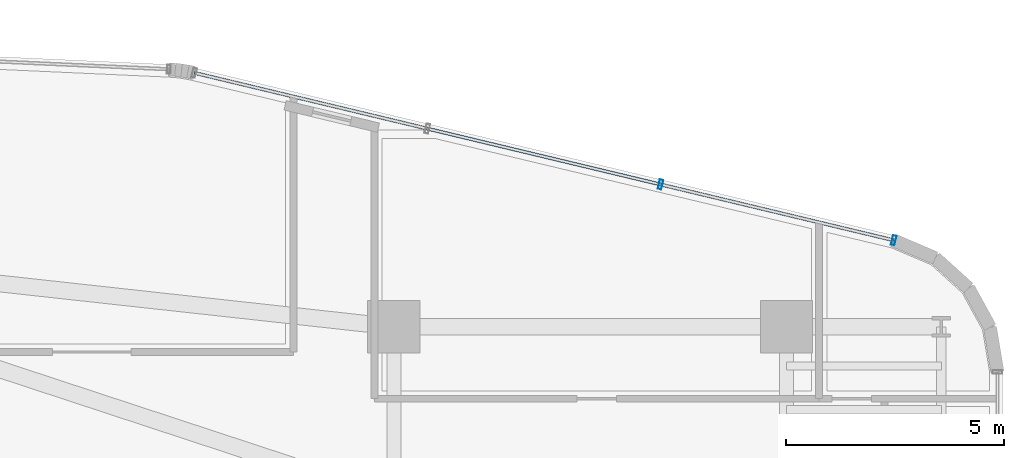
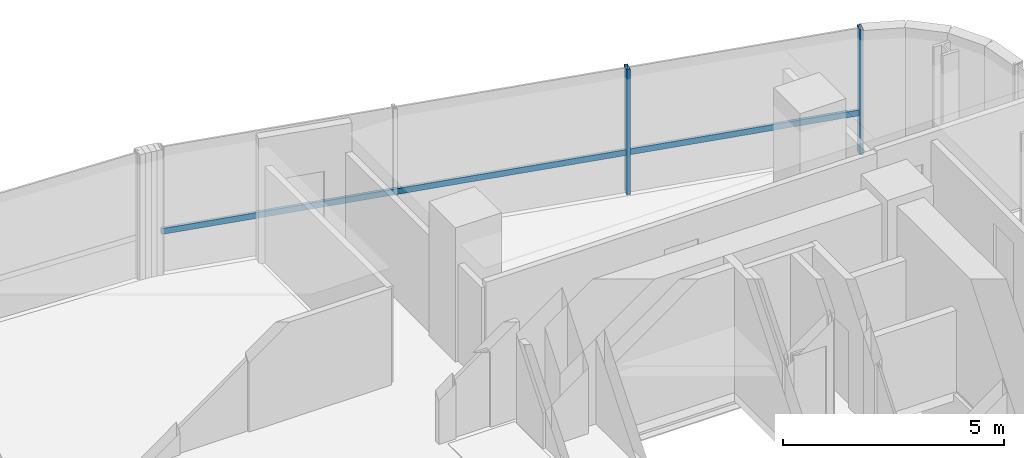
# One storey, part 25 of 37: 3 members, 1 element without a shape of its own.
"""IFC4 building model written with IfcOpenShell, lengths in metres."""

import ifcopenshell
import ifcopenshell.guid

model = None  # the IFC model being written
_history = None  # IfcOwnerHistory: only IFC2X3 demands one
_inside = {}  # id of a spatial element -> (the spatial element, [elements in it])
_under = {}  # id of a project, library or spatial element -> (it, [spatial elements below it])
_declared = {}  # id of a project -> (the project, [libraries it declares])
_typed = {}  # id of a type object -> (the type object, [elements of that type])
_made_of = {}  # id of a material, layer set ... -> (it, [elements and type objects made of it])


def new_model(schema):
    """Start an empty IFC model of exactly this schema.

    Asked for "IFC4X3", IfcOpenShell would pick the latest addendum, in which some entities
    have other attributes; the version numbers below select the first issue.
    IFC2X3 requires an IfcOwnerHistory on every rooted entity: one is made here for all.
    """
    global model, _history
    if schema == "IFC4X3":
        model = ifcopenshell.file(schema_version=(4, 3, 0, 0))
    else:
        model = ifcopenshell.file(schema=schema)
    _inside.clear()
    _under.clear()
    _declared.clear()
    _typed.clear()
    _made_of.clear()
    _history = None
    if model.schema == "IFC2X3":
        org = make("IfcOrganization", Name="unknown")
        user = make(
            "IfcPersonAndOrganization",
            ThePerson=make("IfcPerson", FamilyName="unknown"),
            TheOrganization=org,
        )
        app = make(
            "IfcApplication",
            ApplicationDeveloper=org,
            Version="unknown",
            ApplicationFullName="unknown",
            ApplicationIdentifier="unknown",
        )
        _history = make(
            "IfcOwnerHistory",
            OwningUser=user,
            OwningApplication=app,
            ChangeAction="ADDED",
            CreationDate=0,
        )
    return model


def make(cls, **values):
    """One entity of the class cls with the attributes given. An attribute that is None is left unset."""
    return model.create_entity(
        cls, **{name: value for name, value in values.items() if value is not None}
    )


def rooted(cls, **values):
    """An entity with a GlobalId (a new one), such as an element, a storey or a relation."""
    return make(cls, GlobalId=ifcopenshell.guid.new(), OwnerHistory=_history, **values)


def si_unit(unit_type, name, prefix=None):
    """IfcSIUnit, for example si_unit("LENGTHUNIT", "METRE", prefix="MILLI")."""
    return make("IfcSIUnit", UnitType=unit_type, Prefix=prefix, Name=name)


def assignment(units):
    """IfcUnitAssignment: the units of a project."""
    return None if units is None else make("IfcUnitAssignment", Units=units)


def point(xyz):
    """IfcCartesianPoint."""
    return None if xyz is None else make("IfcCartesianPoint", Coordinates=xyz)


def direction(xyz):
    """IfcDirection."""
    return None if xyz is None else make("IfcDirection", DirectionRatios=xyz)


def frame(location, z_axis=None, x_axis=None):
    """IfcAxis2Placement3D, a coordinate frame: its origin and axes. An axis left out is left unset."""
    return make(
        "IfcAxis2Placement3D",
        Location=point(location),
        Axis=direction(z_axis),
        RefDirection=direction(x_axis),
    )


def frame_2d(location, x_axis=None):
    """IfcAxis2Placement2D, a coordinate frame in the plane: its origin and x axis."""
    return make(
        "IfcAxis2Placement2D", Location=point(location), RefDirection=direction(x_axis)
    )


def origin():
    """The frame at (0, 0, 0) with its axes left unset."""
    return frame((0.0, 0.0, 0.0))


def origin_2d():
    """The frame at (0, 0) in the plane with its x axis left unset."""
    return frame_2d((0.0, 0.0))


def place(relative_to, where):
    """IfcLocalPlacement: puts the frame where relative to a parent placement (None: the world)."""
    return make(
        "IfcLocalPlacement", PlacementRelTo=relative_to, RelativePlacement=where
    )


def context(
    kind, dimensions, precision=None, world=None, true_north=None, identifier=None
):
    """IfcGeometricRepresentationContext, for example the 3D "Model" context."""
    return make(
        "IfcGeometricRepresentationContext",
        ContextIdentifier=identifier,
        ContextType=kind,
        CoordinateSpaceDimension=dimensions,
        Precision=precision,
        WorldCoordinateSystem=world,
        TrueNorth=true_north,
    )


def subcontext(parent, identifier, kind, view, scale=None):
    """IfcGeometricRepresentationSubContext, for example "Body" below "Model"."""
    return make(
        "IfcGeometricRepresentationSubContext",
        ContextIdentifier=identifier,
        ContextType=kind,
        ParentContext=parent,
        TargetScale=scale,
        TargetView=view,
    )


def project(units=None, contexts=None):
    """IfcProject with its units and contexts."""
    return rooted(
        "IfcProject",
        Name="project",
        RepresentationContexts=contexts,
        UnitsInContext=assignment(units),
    )


def spatial(cls, under=None, at=None, **own):
    """A site, building, storey or space (cls), placed at a placement, below another one or the project."""
    s = rooted(cls, ObjectPlacement=at, **own)
    if under is not None:
        _under.setdefault(under.id(), (under, []))[1].append(s)
    return s


def profile(cls, at=None, kind="AREA", **sizes):
    """A parametric profile (cls). Its sizes go by their IFC names, for example OverallWidth=200.0."""
    return make(cls, ProfileType=kind, Position=at, **sizes)


def hollow_rectangle(**sizes):
    """IfcRectangleHollowProfileDef."""
    return profile("IfcRectangleHollowProfileDef", **sizes)


def extrude(swept, where, along, depth):
    """IfcExtrudedAreaSolid: the profile swept, set in the frame where, extruded along a direction by depth."""
    return make(
        "IfcExtrudedAreaSolid",
        SweptArea=swept,
        Position=where,
        ExtrudedDirection=direction(along),
        Depth=depth,
    )


def shape(context_of_items, identifier, shape_type, items):
    """IfcShapeRepresentation: the items that make up one representation, for example the "Body"."""
    return make(
        "IfcShapeRepresentation",
        ContextOfItems=context_of_items,
        RepresentationIdentifier=identifier,
        RepresentationType=shape_type,
        Items=items,
    )


def source(mapping_origin, context_of_items, identifier, shape_type, items):
    """IfcRepresentationMap: a shape defined once, which mapped items show again and again."""
    return make(
        "IfcRepresentationMap",
        MappingOrigin=mapping_origin,
        MappedRepresentation=shape(context_of_items, identifier, shape_type, items),
    )


def transform(
    local_origin,
    x_axis=None,
    y_axis=None,
    z_axis=None,
    scale=None,
    scale2=None,
    scale3=None,
    uniform=True,
):
    """IfcCartesianTransformationOperator3D, or its non-uniform kind. x_axis, y_axis, z_axis: its Axis1, 2, 3."""
    if uniform:
        return make(
            "IfcCartesianTransformationOperator3D",
            Axis1=direction(x_axis),
            Axis2=direction(y_axis),
            LocalOrigin=point(local_origin),
            Scale=scale,
            Axis3=direction(z_axis),
        )
    return make(
        "IfcCartesianTransformationOperator3DnonUniform",
        Axis1=direction(x_axis),
        Axis2=direction(y_axis),
        LocalOrigin=point(local_origin),
        Scale=scale,
        Axis3=direction(z_axis),
        Scale2=scale2,
        Scale3=scale3,
    )


def mapped(mapping_source, mapping_target):
    """IfcMappedItem: shows the shape of a source again, moved by a transform."""
    return make(
        "IfcMappedItem", MappingSource=mapping_source, MappingTarget=mapping_target
    )


def material(Name=None, Category=None):
    """IfcMaterial."""
    return make("IfcMaterial", Name=Name, Category=Category)


def material_profile(
    of_material, cross_section, Name=None, Category=None, Priority=None
):
    """IfcMaterialProfile: a cross section and its material."""
    return make(
        "IfcMaterialProfile",
        Name=Name,
        Material=of_material,
        Profile=cross_section,
        Priority=Priority,
        Category=Category,
    )


def profile_set(profiles, Name=None, composite=None):
    """IfcMaterialProfileSet."""
    return make(
        "IfcMaterialProfileSet",
        Name=Name,
        MaterialProfiles=profiles,
        CompositeProfile=composite,
    )


def made_of(thing, what):
    """Note that an element or type object is made of a material, layer set ...; save() writes the relation."""
    if what is not None:
        _made_of.setdefault(what.id(), (what, []))[1].append(thing)
    return thing


def type_object(cls, material=None, **own):
    """A type object (cls), such as IfcWallType, which elements share."""
    return made_of(rooted(cls, **own), material)


def element(
    cls,
    number,
    at=None,
    inside=None,
    cuts=None,
    type_object=None,
    material=None,
    context=None,
    identifier="Body",
    shape_type=None,
    held_by="IfcProductDefinitionShape",
    body=None,
    shapes=None,
    **own,
):
    """One element of the class cls, such as IfcWall. Its Tag is "e" and its number.

    at: its placement. inside: the storey or other place that contains it. cuts: it is an
    opening in that element (IfcRelVoidsElement). A single representation is given by context,
    identifier, shape_type and body (its items); several are given by shapes. held_by: the class
    of the entity that holds the representations. save() writes the other relations.
    """
    e = rooted(cls, Tag="e%d" % number, ObjectPlacement=at, **own)
    if body is not None:
        shapes = [shape(context, identifier, shape_type, body)]
    if shapes is not None:
        e.Representation = make(held_by, Representations=shapes)
    if inside is not None:
        _inside.setdefault(inside.id(), (inside, []))[1].append(e)
    if cuts is not None:
        rooted(
            "IfcRelVoidsElement", RelatingBuildingElement=cuts, RelatedOpeningElement=e
        )
    if type_object is not None:
        _typed.setdefault(type_object.id(), (type_object, []))[1].append(e)
    return made_of(e, material)


def aggregate(whole, parts):
    """IfcRelAggregates: a whole, such as a stair, and the parts it consists of."""
    return rooted("IfcRelAggregates", RelatingObject=whole, RelatedObjects=parts)


def save(model, path):
    """Write the relations noted so far, then the file.

    IfcRelAggregates (storeys below a building ...), IfcRelContainedInSpatialStructure (elements
    in a storey), IfcRelDefinesByType, IfcRelAssociatesMaterial and IfcRelDeclares: one each for
    every whole, place, type object, material and project.
    """
    for whole, parts in _under.values():
        aggregate(whole, parts)
    for where, things in _inside.values():
        rooted(
            "IfcRelContainedInSpatialStructure",
            RelatedElements=things,
            RelatingStructure=where,
        )
    for kind, things in _typed.values():
        rooted("IfcRelDefinesByType", RelatedObjects=things, RelatingType=kind)
    for what, things in _made_of.values():
        rooted("IfcRelAssociatesMaterial", RelatedObjects=things, RelatingMaterial=what)
    for by, libraries in _declared.values():
        rooted("IfcRelDeclares", RelatingContext=by, RelatedDefinitions=libraries)
    model.write(path)


model = new_model("IFC4")

# Units and contexts
model_context = context("Model", 3, precision=1e-05, world=origin(), true_north=direction((0.0, 1.0)))
body_context = subcontext(model_context, "Body", "Model", "MODEL_VIEW")
ifc_project = project(units=[si_unit("LENGTHUNIT", "METRE"), si_unit("AREAUNIT", "SQUARE_METRE"), si_unit("VOLUMEUNIT", "CUBIC_METRE"), si_unit("PLANEANGLEUNIT", "RADIAN"), si_unit("MASSUNIT", "GRAM", prefix="KILO")], contexts=[model_context])

# Site, building, storey
site_placement = place(None, origin())
site = spatial("IfcSite", under=ifc_project, at=site_placement, CompositionType="ELEMENT")
building_placement = place(site_placement, origin())
building = spatial("IfcBuilding", under=site, at=building_placement, Name="Valdorenza Pilgrim Sanctuary Tower", CompositionType="ELEMENT")
storey_placement = place(building_placement, frame((0.0, 0.0, 135.300048828125)))
storey = spatial("IfcBuildingStorey", under=building, at=storey_placement, Name="L34", CompositionType="ELEMENT", Elevation=135.300048828125)

# Curtain wall, members
ifc_material_1 = material(Name="Curtain-wall IGU glazing", Category="glass")
curtain_wall_type = type_object("IfcCurtainWallType", Name="CW-SYS-03", PredefinedType="NOTDEFINED", material=ifc_material_1)
curtain_wall_placement = place(storey_placement, origin())
curtain_wall = element("IfcCurtainWall", 1, at=curtain_wall_placement, inside=storey, type_object=curtain_wall_type, Name="L34 Curtain Wall CW-L34-1-16", PredefinedType="NOTDEFINED")
ifc_material_2 = material(Name="Anodised aluminium AW-6060", Category="aluminium")
ifc_material_profile_1 = material_profile(ifc_material_2, hollow_rectangle(XDim=0.0849609375, YDim=0.219970703125, WallThickness=0.0048828125, at=origin_2d()), Name="ALU-M 220x85x5")
ifc_profile_set_1 = profile_set([ifc_material_profile_1], Name="Anodised aluminium AW-6060")
member_type_1 = type_object("IfcMemberType", Name="CW-MUL-03", PredefinedType="MULLION", material=ifc_profile_set_1)
shared_shape_1 = source(origin(), body_context, "Body", "SweptSolid", [
    extrude(hollow_rectangle(XDim=0.0849609375, YDim=0.219970703125, WallThickness=0.0048828125, at=origin_2d()), origin(), (0.0, 0.0, 1.0), 3.4599609375),
])
member_1_placement = place(storey_placement, frame((21.964111328125, 16.7626953125, 0.0), z_axis=(0.0, 0.0, 1.0), x_axis=(0.972528596343, -0.232783438617, 0.0)))
member_1 = element("IfcMember", 2, at=member_1_placement, type_object=member_type_1, Name="CW-L34-1-16 Mullion 3", PredefinedType="MULLION", context=body_context, shape_type="MappedRepresentation", body=[
    mapped(shared_shape_1, transform((0.0, 0.0, 0.0), x_axis=(1.0, 0.0, 0.0), y_axis=(0.0, 1.0, 0.0), z_axis=(0.0, 0.0, 1.0), scale=1.0)),
])
member_2_placement = place(storey_placement, frame((27.310302734375, 15.48291015625, 0.0), z_axis=(0.0, 0.0, 1.0), x_axis=(0.972528596343, -0.232783438617, 0.0)))
member_2 = element("IfcMember", 3, at=member_2_placement, type_object=member_type_1, Name="CW-L34-1-16 Mullion 4", PredefinedType="MULLION", context=body_context, shape_type="MappedRepresentation", body=[
    mapped(shared_shape_1, transform((0.0, 0.0, 0.0), x_axis=(1.0, 0.0, 0.0), y_axis=(0.0, 1.0, 0.0), z_axis=(0.0, 0.0, 1.0), scale=1.0)),
])
ifc_material_profile_2 = material_profile(ifc_material_2, hollow_rectangle(XDim=0.074951171875, YDim=0.159912109375, WallThickness=0.00390625, at=origin_2d()), Name="ALU-T 160x75x4")
ifc_profile_set_2 = profile_set([ifc_material_profile_2], Name="Anodised aluminium AW-6060")
member_type_2 = type_object("IfcMemberType", Name="CW-TRN-03", PredefinedType="USERDEFINED", material=ifc_profile_set_2)
shared_shape_2 = source(origin(), body_context, "Body", "SweptSolid", [
    extrude(hollow_rectangle(XDim=0.074951171875, YDim=0.159912109375, WallThickness=0.00390625, at=origin_2d()), origin(), (0.0, 0.0, 1.0), 16.491943359375),
])
member_3_placement = place(storey_placement, frame((11.271484375, 19.322021484375, 1.119873046875), z_axis=(0.972527548122, -0.232787817859, 0.0), x_axis=(0.232787817859, 0.972527548122, 0.0)))
member_3 = element("IfcMember", 4, at=member_3_placement, type_object=member_type_2, Name="CW-L34-1-16 Transom 1", ObjectType="TRANSOM", PredefinedType="USERDEFINED", context=body_context, shape_type="MappedRepresentation", body=[
    mapped(shared_shape_2, transform((0.0, 0.0, 0.0), x_axis=(1.0, 0.0, 0.0), y_axis=(0.0, 1.0, 0.0), z_axis=(0.0, 0.0, 1.0), scale=1.0)),
])
aggregate(curtain_wall, [member_1, member_2, member_3])

save(model, "model.ifc")
